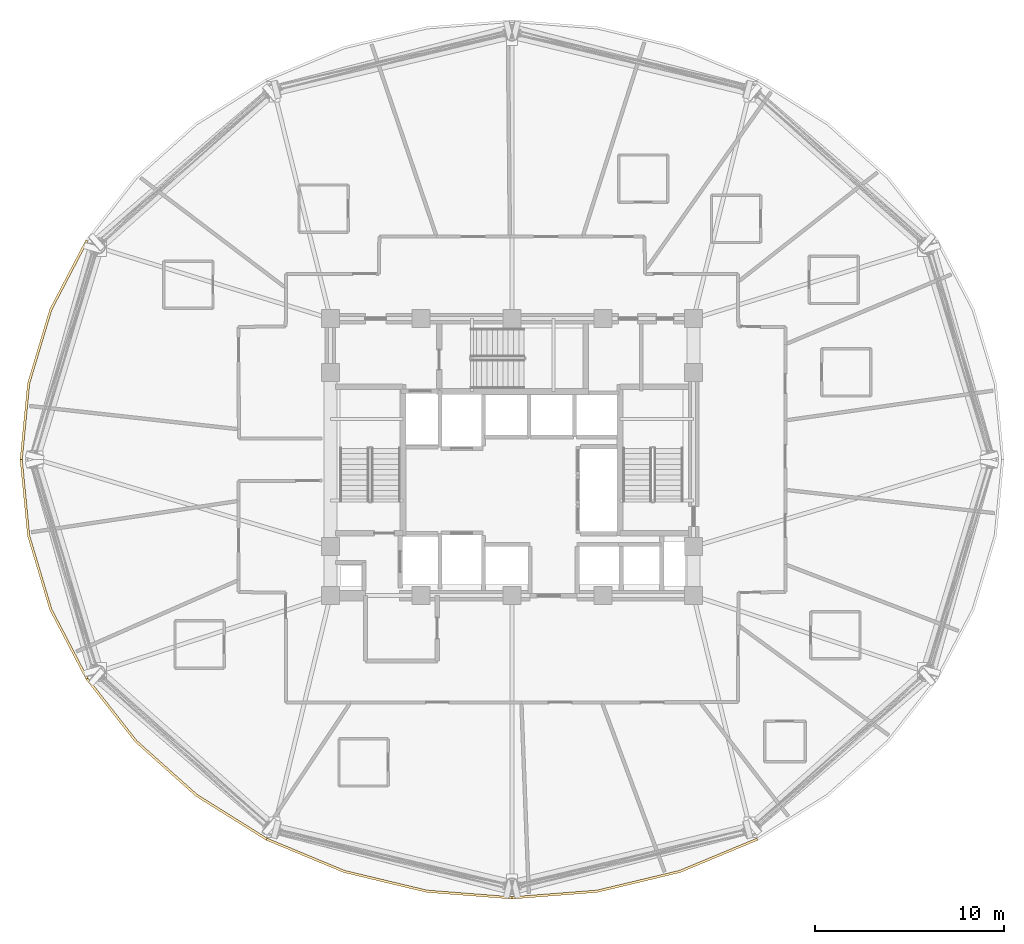
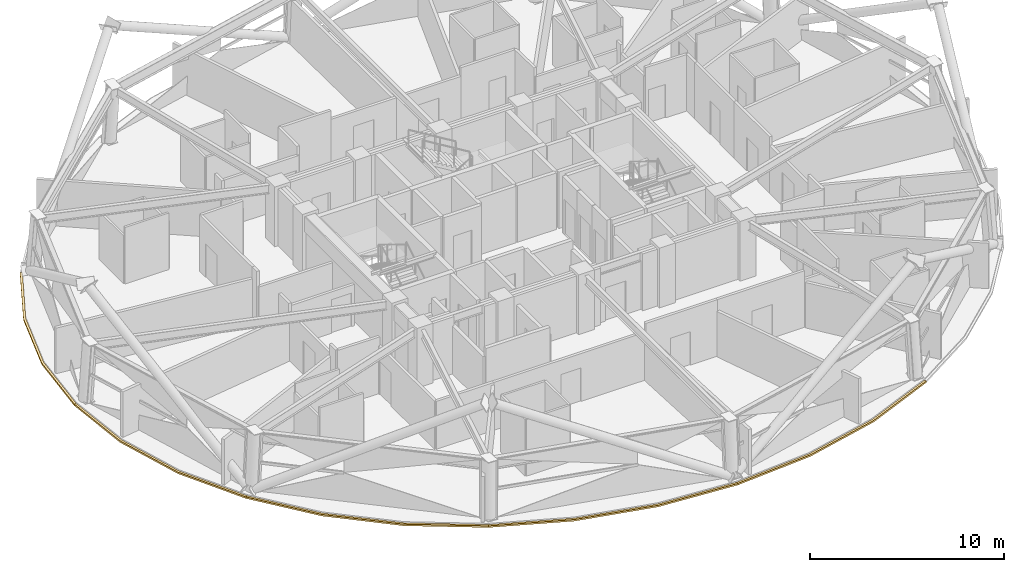
# One storey, part 10 of 13: 5 coverings.
"""IFC4 building model written with IfcOpenShell, lengths in metres."""

from ifc_helpers import new_model, si_unit, direction, frame, origin, place, context, subcontext, project, spatial, polyline, outline, extrude, material, layer, layer_set, type_object, element, save


model = new_model("IFC4")

# Units and contexts
model_context = context("Model", 3, precision=1e-05, world=origin(), true_north=direction((0.0, 1.0)))
body_context = subcontext(model_context, "Body", "Model", "MODEL_VIEW")
ifc_project = project(units=[si_unit("LENGTHUNIT", "METRE"), si_unit("AREAUNIT", "SQUARE_METRE"), si_unit("VOLUMEUNIT", "CUBIC_METRE"), si_unit("PLANEANGLEUNIT", "RADIAN"), si_unit("MASSUNIT", "GRAM", prefix="KILO")], contexts=[model_context])

# Site, building, storey
site_placement = place(None, origin())
site = spatial("IfcSite", under=ifc_project, at=site_placement, CompositionType="ELEMENT")
building_placement = place(site_placement, origin())
building = spatial("IfcBuilding", under=site, at=building_placement, Name="Vantalir Tower", CompositionType="ELEMENT")
storey_placement = place(building_placement, frame((0.0, 0.0, 127.199951171875)))
storey = spatial("IfcBuildingStorey", under=building, at=storey_placement, Name="L31", CompositionType="ELEMENT", Elevation=127.199951171875)

# Coverings
ifc_material = material(Name="Anodised champagne aluminium sill fascia", Category="aluminium")
ifc_layer = layer(ifc_material, 0.125)
ifc_layer_set = layer_set([ifc_layer], Name="Anodised champagne aluminium sill fascia")
covering_type = type_object("IfcCoveringType", Name="COV-SLAB-FASCIA-125", PredefinedType="CLADDING", material=ifc_layer_set)
covering_1_placement = place(storey_placement, frame((0.0, 0.0, -0.179931640625)))
element("IfcCovering", 1, at=covering_1_placement, inside=storey, type_object=covering_type, Name="L31 Perimeter Slab-Edge Sill Fascia 06", PredefinedType="CLADDING", context=body_context, shape_type="SweptSolid", body=[
    extrude(outline(polyline([(8.969970703125, 36.6201171875), (7.053955078125, 32.948974609375), (5.8798828125, 29.035888671875), (5.485107421875, 25.0), (5.610107421875, 25.0), (6.0029296875, 29.013916015625), (7.1708984375, 32.906005859375), (9.0791015625, 36.55810546875), (8.969970703125, 36.6201171875)])), origin(), (0.0, 0.0, 1.0), 0.10498046875),
])
covering_2_placement = place(storey_placement, frame((0.0, 0.0, -0.179931640625)))
element("IfcCovering", 2, at=covering_2_placement, inside=storey, type_object=covering_type, Name="L31 Perimeter Slab-Edge Sill Fascia 07", PredefinedType="CLADDING", context=body_context, shape_type="SweptSolid", body=[
    extrude(outline(polyline([(5.485107421875, 25.0), (5.8798828125, 20.964111328125), (7.053955078125, 17.051025390625), (8.969970703125, 13.37890625), (9.0791015625, 13.44189453125), (7.1708984375, 17.093994140625), (6.0029296875, 20.986083984375), (5.610107421875, 25.0), (5.485107421875, 25.0)])), origin(), (0.0, 0.0, 1.0), 0.10498046875),
])
covering_3_placement = place(storey_placement, frame((0.0, 0.0, -0.179931640625)))
element("IfcCovering", 3, at=covering_3_placement, inside=storey, type_object=covering_type, Name="L31 Perimeter Slab-Edge Sill Fascia 08", PredefinedType="CLADDING", context=body_context, shape_type="SweptSolid", body=[
    extrude(outline(polyline([(8.969970703125, 13.37890625), (11.571044921875, 10.06103515625), (14.778076171875, 7.196044921875), (18.491943359375, 4.873046875), (18.554931640625, 4.98095703125), (14.85791015625, 7.2919921875), (11.6669921875, 10.14111328125), (9.0791015625, 13.44189453125), (8.969970703125, 13.37890625)])), origin(), (0.0, 0.0, 1.0), 0.10498046875),
])
covering_4_placement = place(storey_placement, frame((0.0, 0.0, -0.179931640625)))
element("IfcCovering", 4, at=covering_4_placement, inside=storey, type_object=covering_type, Name="L31 Perimeter Slab-Edge Sill Fascia 09", PredefinedType="CLADDING", context=body_context, shape_type="SweptSolid", body=[
    extrude(outline(polyline([(18.491943359375, 4.873046875), (22.60205078125, 3.160888671875), (26.98291015625, 2.112060546875), (31.5, 1.759033203125), (31.5, 1.884033203125), (27.00390625, 2.235107421875), (22.64501953125, 3.278076171875), (18.554931640625, 4.98095703125), (18.491943359375, 4.873046875)])), origin(), (0.0, 0.0, 1.0), 0.10498046875),
])
covering_5_placement = place(storey_placement, frame((0.0, 0.0, -0.179931640625)))
element("IfcCovering", 5, at=covering_5_placement, inside=storey, type_object=covering_type, Name="L31 Perimeter Slab-Edge Sill Fascia 10", PredefinedType="CLADDING", context=body_context, shape_type="SweptSolid", body=[
    extrude(outline(polyline([(31.5, 1.759033203125), (36.01708984375, 2.112060546875), (40.39794921875, 3.160888671875), (44.508056640625, 4.873046875), (44.445068359375, 4.98095703125), (40.35498046875, 3.278076171875), (35.99609375, 2.235107421875), (31.5, 1.884033203125), (31.5, 1.759033203125)])), origin(), (0.0, 0.0, 1.0), 0.10498046875),
])

save(model, "model.ifc")
